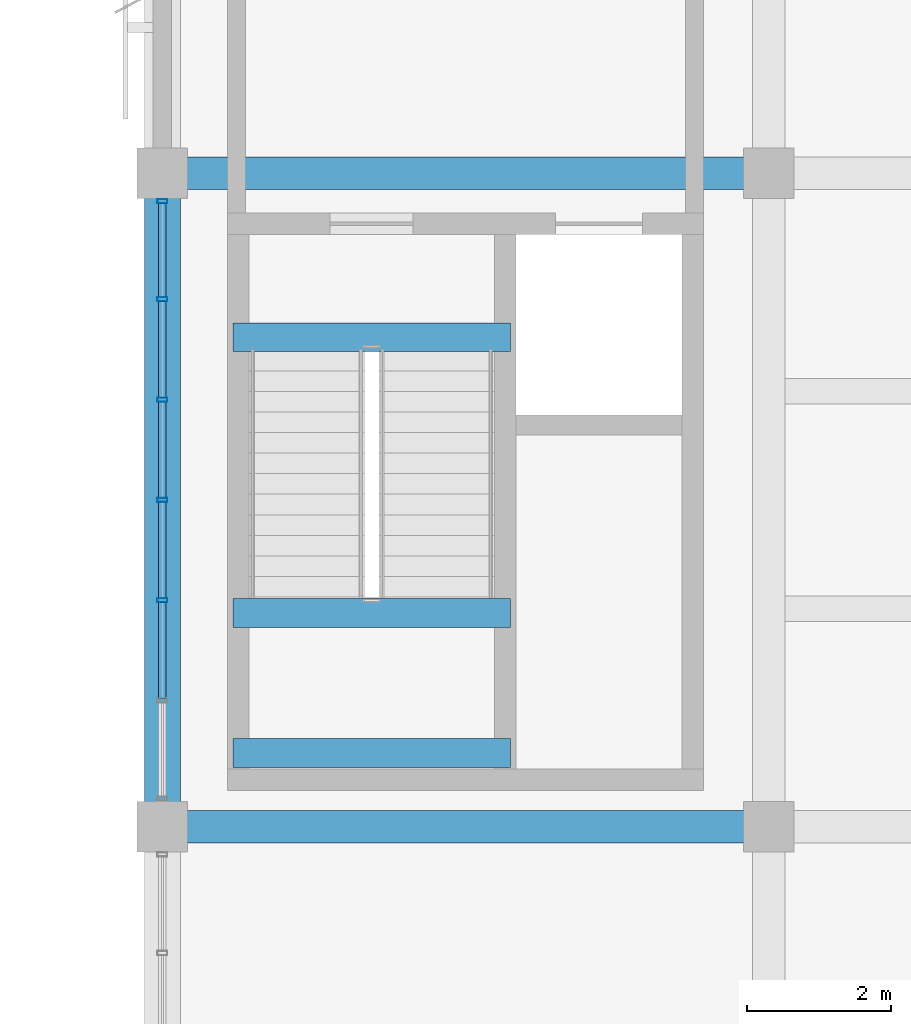
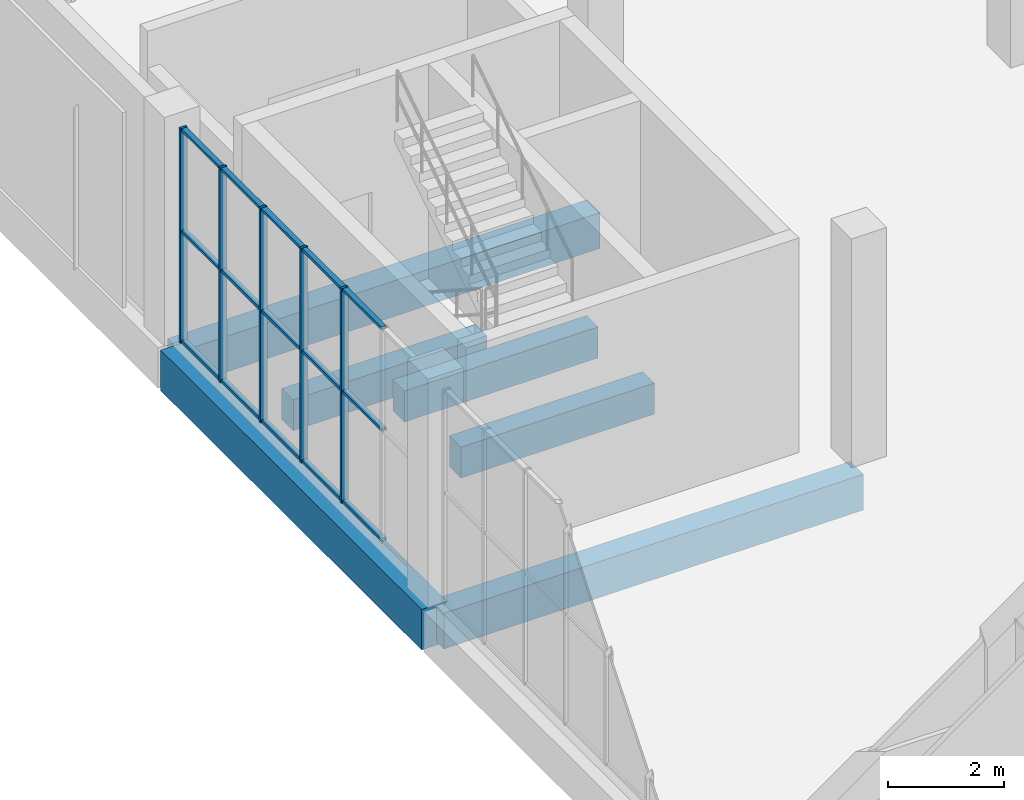
# One storey, part 3 of 80: 20 members, 6 beams, 1 element without a shape of its own.
"""IFC4 building model written with IfcOpenShell, lengths in metres."""

from ifc_helpers import new_model, si_unit, direction, frame, origin, origin_2d, place, context, subcontext, project, spatial, rectangle, hollow_rectangle, extrude, material, material_profile, profile_set, type_object, element, aggregate, save


model = new_model("IFC4")

# Units and contexts
model_context = context("Model", 3, precision=1e-05, world=origin(), true_north=direction((0.0, 1.0)))
body_context = subcontext(model_context, "Body", "Model", "MODEL_VIEW")
ifc_project = project(units=[si_unit("LENGTHUNIT", "METRE"), si_unit("AREAUNIT", "SQUARE_METRE"), si_unit("VOLUMEUNIT", "CUBIC_METRE"), si_unit("PLANEANGLEUNIT", "RADIAN"), si_unit("MASSUNIT", "GRAM", prefix="KILO")], contexts=[model_context])

# Site, building, storey
site_placement = place(None, origin())
site = spatial("IfcSite", under=ifc_project, at=site_placement, CompositionType="ELEMENT")
building_placement = place(site_placement, origin())
building = spatial("IfcBuilding", under=site, at=building_placement, Name="Khurvash Pelagic Aquarium", CompositionType="ELEMENT")
storey_placement = place(building_placement, frame((0.0, 0.0, 10.800048828125)))
storey = spatial("IfcBuildingStorey", under=building, at=storey_placement, Name="L02", CompositionType="ELEMENT", Elevation=10.800048828125)

# Beams
ifc_material_1 = material(Name="Concrete C35/45", Category="concrete")
ifc_material_profile_1 = material_profile(ifc_material_1, rectangle(XDim=0.449951171875, YDim=0.75, at=origin_2d()), Name="RC450X750")
ifc_profile_set_1 = profile_set([ifc_material_profile_1], Name="Concrete C35/45")
beam_type_1 = type_object("IfcBeamType", Name="BM-04", PredefinedType="BEAM", material=ifc_profile_set_1)
for number, where, z_axis, x_axis, name in (
    (1, (25.239990234375, 11.64990234375, -0.695068359375), (1.0, 0.0, 0.0), (0.0, 1.0, 0.0), "L02 Primary Girder BM-04 00572"),
    (2, (25.239990234375, 20.699951171875, -0.695068359375), (1.0, 0.0, 0.0), (0.0, 1.0, 0.0), "L02 Primary Girder BM-04 00582"),
):
    element("IfcBeam", number, at=place(storey_placement, frame(where, z_axis=z_axis, x_axis=x_axis)), inside=storey, type_object=beam_type_1, Name=name, PredefinedType="BEAM", context=body_context, shape_type="SweptSolid", body=[
        extrude(rectangle(XDim=0.449951171875, YDim=0.75, at=origin_2d()), origin(), (0.0, 0.0, 1.0), 8.320068359375),
    ])
ifc_material_profile_2 = material_profile(ifc_material_1, rectangle(XDim=0.39990234375, YDim=0.64990234375, at=origin_2d()), Name="RC400X650")
ifc_profile_set_2 = profile_set([ifc_material_profile_2], Name="Concrete C35/45")
beam_type_2 = type_object("IfcBeamType", Name="BM-05", PredefinedType="BEAM", material=ifc_profile_set_2)
for number, where, z_axis, x_axis, name in (
    (3, (26.179931640625, 18.429931640625, -0.625), (1.0, 0.0, 0.0), (0.0, 1.0, 0.0), "L02 Stair ST-01 Header Trimmer Beam BM-05"),
    (4, (26.179931640625, 12.669921875, 1.875), (1.0, 0.0, 0.0), (0.0, 1.0, 0.0), "L02 Stair ST-01 Mid-Landing Trimmer Beam BM-05"),
    (5, (26.179931640625, 14.610107421875, 1.875), (1.0, 0.0, 0.0), (0.0, 1.0, 0.0), "L02 Stair ST-01 Mid-Landing Trimmer Beam BM-05"),
):
    element("IfcBeam", number, at=place(storey_placement, frame(where, z_axis=z_axis, x_axis=x_axis)), inside=storey, type_object=beam_type_2, Name=name, PredefinedType="BEAM", context=body_context, shape_type="SweptSolid", body=[
        extrude(rectangle(XDim=0.39990234375, YDim=0.64990234375, at=origin_2d()), origin(), (0.0, 0.0, 1.0), 3.840087890625),
    ])

# Curtain wall, members
ifc_material_2 = material(Name="Anodised aluminium and low-E laminated glass", Category="aluminium")
curtain_wall_type = type_object("IfcCurtainWallType", Name="CW-03", PredefinedType="USERDEFINED", material=ifc_material_2)
curtain_wall_placement = place(storey_placement, origin())
curtain_wall = element("IfcCurtainWall", 6, at=curtain_wall_placement, inside=storey, type_object=curtain_wall_type, Name="L02 Facade Unitised Curtain Wall CW-03 0149", ObjectType="UNITISED CURTAIN WALL", PredefinedType="USERDEFINED")
ifc_material_3 = material(Name="Extruded aluminium AW-6063-T6", Category="aluminium")
ifc_material_profile_3 = material_profile(ifc_material_3, hollow_rectangle(XDim=0.06005859375, YDim=0.139892578125, WallThickness=0.00390625, at=origin_2d()), Name="CWM60X140X4")
ifc_profile_set_3 = profile_set([ifc_material_profile_3], Name="Extruded aluminium AW-6063-T6")
member_type_1 = type_object("IfcMemberType", Name="CM-03", PredefinedType="MULLION", material=ifc_profile_set_3)
member_1_placement = place(storey_placement, frame((25.199951171875, 20.31494140625, 0.0), z_axis=(0.0, 0.0, 1.0), x_axis=(0.0, -1.0, 0.0)))
member_1 = element("IfcMember", 7, at=member_1_placement, type_object=member_type_1, Name="CW-03 mullion 1", PredefinedType="MULLION", context=body_context, shape_type="SweptSolid", body=[
    extrude(hollow_rectangle(XDim=0.06005859375, YDim=0.139892578125, WallThickness=0.00390625, at=origin_2d()), origin(), (0.0, 0.0, 1.0), 4.5),
])
member_2_placement = place(storey_placement, frame((25.199951171875, 18.955078125, 0.0), z_axis=(0.0, 0.0, 1.0), x_axis=(0.0, -1.0, 0.0)))
member_2 = element("IfcMember", 8, at=member_2_placement, type_object=member_type_1, Name="CW-03 mullion 2", PredefinedType="MULLION", context=body_context, shape_type="SweptSolid", body=[
    extrude(hollow_rectangle(XDim=0.06005859375, YDim=0.139892578125, WallThickness=0.00390625, at=origin_2d()), origin(), (0.0, 0.0, 1.0), 4.5),
])
member_3_placement = place(storey_placement, frame((25.199951171875, 17.56494140625, 0.0), z_axis=(0.0, 0.0, 1.0), x_axis=(0.0, -1.0, 0.0)))
member_3 = element("IfcMember", 9, at=member_3_placement, type_object=member_type_1, Name="CW-03 mullion 3", PredefinedType="MULLION", context=body_context, shape_type="SweptSolid", body=[
    extrude(hollow_rectangle(XDim=0.06005859375, YDim=0.139892578125, WallThickness=0.00390625, at=origin_2d()), origin(), (0.0, 0.0, 1.0), 4.5),
])
member_4_placement = place(storey_placement, frame((25.199951171875, 16.175048828125, 0.0), z_axis=(0.0, 0.0, 1.0), x_axis=(0.0, -1.0, 0.0)))
member_4 = element("IfcMember", 10, at=member_4_placement, type_object=member_type_1, Name="CW-03 mullion 4", PredefinedType="MULLION", context=body_context, shape_type="SweptSolid", body=[
    extrude(hollow_rectangle(XDim=0.06005859375, YDim=0.139892578125, WallThickness=0.00390625, at=origin_2d()), origin(), (0.0, 0.0, 1.0), 4.5),
])
member_5_placement = place(storey_placement, frame((25.199951171875, 14.784912109375, 0.0), z_axis=(0.0, 0.0, 1.0), x_axis=(0.0, -1.0, 0.0)))
member_5 = element("IfcMember", 11, at=member_5_placement, type_object=member_type_1, Name="CW-03 mullion 5", PredefinedType="MULLION", context=body_context, shape_type="SweptSolid", body=[
    extrude(hollow_rectangle(XDim=0.06005859375, YDim=0.139892578125, WallThickness=0.00390625, at=origin_2d()), origin(), (0.0, 0.0, 1.0), 4.5),
])
ifc_material_profile_4 = material_profile(ifc_material_3, hollow_rectangle(XDim=0.10009765625, YDim=0.06005859375, WallThickness=0.00390625, at=origin_2d()), Name="CWT100X60X4")
ifc_profile_set_4 = profile_set([ifc_material_profile_4], Name="Extruded aluminium AW-6063-T6")
member_type_2 = type_object("IfcMemberType", Name="CT-03", PredefinedType="USERDEFINED", material=ifc_profile_set_4)
member_6_placement = place(storey_placement, frame((25.199951171875, 20.284912109375, 0.030029296875), z_axis=(0.0, -1.0, 0.0), x_axis=(1.0, 0.0, 0.0)))
member_6 = element("IfcMember", 12, at=member_6_placement, type_object=member_type_2, Name="CW-03 transom 1.1", ObjectType="TRANSOM", PredefinedType="USERDEFINED", context=body_context, shape_type="SweptSolid", body=[
    extrude(hollow_rectangle(XDim=0.10009765625, YDim=0.06005859375, WallThickness=0.00390625, at=origin_2d()), origin(), (0.0, 0.0, 1.0), 1.2998046875),
])
member_7_placement = place(storey_placement, frame((25.199951171875, 20.284912109375, 2.33984375), z_axis=(0.0, -1.0, 0.0), x_axis=(1.0, 0.0, 0.0)))
member_7 = element("IfcMember", 13, at=member_7_placement, type_object=member_type_2, Name="CW-03 transom 1.2", ObjectType="TRANSOM", PredefinedType="USERDEFINED", context=body_context, shape_type="SweptSolid", body=[
    extrude(hollow_rectangle(XDim=0.10009765625, YDim=0.06005859375, WallThickness=0.00390625, at=origin_2d()), origin(), (0.0, 0.0, 1.0), 1.2998046875),
])
member_8_placement = place(storey_placement, frame((25.199951171875, 20.284912109375, 4.469970703125), z_axis=(0.0, -1.0, 0.0), x_axis=(1.0, 0.0, 0.0)))
member_8 = element("IfcMember", 14, at=member_8_placement, type_object=member_type_2, Name="CW-03 transom 1.3", ObjectType="TRANSOM", PredefinedType="USERDEFINED", context=body_context, shape_type="SweptSolid", body=[
    extrude(hollow_rectangle(XDim=0.10009765625, YDim=0.06005859375, WallThickness=0.00390625, at=origin_2d()), origin(), (0.0, 0.0, 1.0), 1.2998046875),
])
member_9_placement = place(storey_placement, frame((25.199951171875, 18.925048828125, 0.030029296875), z_axis=(0.0, -1.0, 0.0), x_axis=(1.0, 0.0, 0.0)))
member_9 = element("IfcMember", 15, at=member_9_placement, type_object=member_type_2, Name="CW-03 transom 2.1", ObjectType="TRANSOM", PredefinedType="USERDEFINED", context=body_context, shape_type="SweptSolid", body=[
    extrude(hollow_rectangle(XDim=0.10009765625, YDim=0.06005859375, WallThickness=0.00390625, at=origin_2d()), origin(), (0.0, 0.0, 1.0), 1.330078125),
])
member_10_placement = place(storey_placement, frame((25.199951171875, 18.925048828125, 2.33984375), z_axis=(0.0, -1.0, 0.0), x_axis=(1.0, 0.0, 0.0)))
member_10 = element("IfcMember", 16, at=member_10_placement, type_object=member_type_2, Name="CW-03 transom 2.2", ObjectType="TRANSOM", PredefinedType="USERDEFINED", context=body_context, shape_type="SweptSolid", body=[
    extrude(hollow_rectangle(XDim=0.10009765625, YDim=0.06005859375, WallThickness=0.00390625, at=origin_2d()), origin(), (0.0, 0.0, 1.0), 1.330078125),
])
member_11_placement = place(storey_placement, frame((25.199951171875, 18.925048828125, 4.469970703125), z_axis=(0.0, -1.0, 0.0), x_axis=(1.0, 0.0, 0.0)))
member_11 = element("IfcMember", 17, at=member_11_placement, type_object=member_type_2, Name="CW-03 transom 2.3", ObjectType="TRANSOM", PredefinedType="USERDEFINED", context=body_context, shape_type="SweptSolid", body=[
    extrude(hollow_rectangle(XDim=0.10009765625, YDim=0.06005859375, WallThickness=0.00390625, at=origin_2d()), origin(), (0.0, 0.0, 1.0), 1.330078125),
])
member_12_placement = place(storey_placement, frame((25.199951171875, 17.534912109375, 0.030029296875), z_axis=(0.0, -1.0, 0.0), x_axis=(1.0, 0.0, 0.0)))
member_12 = element("IfcMember", 18, at=member_12_placement, type_object=member_type_2, Name="CW-03 transom 3.1", ObjectType="TRANSOM", PredefinedType="USERDEFINED", context=body_context, shape_type="SweptSolid", body=[
    extrude(hollow_rectangle(XDim=0.10009765625, YDim=0.06005859375, WallThickness=0.00390625, at=origin_2d()), origin(), (0.0, 0.0, 1.0), 1.329833984375),
])
member_13_placement = place(storey_placement, frame((25.199951171875, 17.534912109375, 2.33984375), z_axis=(0.0, -1.0, 0.0), x_axis=(1.0, 0.0, 0.0)))
member_13 = element("IfcMember", 19, at=member_13_placement, type_object=member_type_2, Name="CW-03 transom 3.2", ObjectType="TRANSOM", PredefinedType="USERDEFINED", context=body_context, shape_type="SweptSolid", body=[
    extrude(hollow_rectangle(XDim=0.10009765625, YDim=0.06005859375, WallThickness=0.00390625, at=origin_2d()), origin(), (0.0, 0.0, 1.0), 1.329833984375),
])
member_14_placement = place(storey_placement, frame((25.199951171875, 17.534912109375, 4.469970703125), z_axis=(0.0, -1.0, 0.0), x_axis=(1.0, 0.0, 0.0)))
member_14 = element("IfcMember", 20, at=member_14_placement, type_object=member_type_2, Name="CW-03 transom 3.3", ObjectType="TRANSOM", PredefinedType="USERDEFINED", context=body_context, shape_type="SweptSolid", body=[
    extrude(hollow_rectangle(XDim=0.10009765625, YDim=0.06005859375, WallThickness=0.00390625, at=origin_2d()), origin(), (0.0, 0.0, 1.0), 1.329833984375),
])
member_15_placement = place(storey_placement, frame((25.199951171875, 16.14501953125, 0.030029296875), z_axis=(0.0, -1.0, 0.0), x_axis=(1.0, 0.0, 0.0)))
member_15 = element("IfcMember", 21, at=member_15_placement, type_object=member_type_2, Name="CW-03 transom 4.1", ObjectType="TRANSOM", PredefinedType="USERDEFINED", context=body_context, shape_type="SweptSolid", body=[
    extrude(hollow_rectangle(XDim=0.10009765625, YDim=0.06005859375, WallThickness=0.00390625, at=origin_2d()), origin(), (0.0, 0.0, 1.0), 1.330078125),
])
member_16_placement = place(storey_placement, frame((25.199951171875, 16.14501953125, 2.33984375), z_axis=(0.0, -1.0, 0.0), x_axis=(1.0, 0.0, 0.0)))
member_16 = element("IfcMember", 22, at=member_16_placement, type_object=member_type_2, Name="CW-03 transom 4.2", ObjectType="TRANSOM", PredefinedType="USERDEFINED", context=body_context, shape_type="SweptSolid", body=[
    extrude(hollow_rectangle(XDim=0.10009765625, YDim=0.06005859375, WallThickness=0.00390625, at=origin_2d()), origin(), (0.0, 0.0, 1.0), 1.330078125),
])
member_17_placement = place(storey_placement, frame((25.199951171875, 16.14501953125, 4.469970703125), z_axis=(0.0, -1.0, 0.0), x_axis=(1.0, 0.0, 0.0)))
member_17 = element("IfcMember", 23, at=member_17_placement, type_object=member_type_2, Name="CW-03 transom 4.3", ObjectType="TRANSOM", PredefinedType="USERDEFINED", context=body_context, shape_type="SweptSolid", body=[
    extrude(hollow_rectangle(XDim=0.10009765625, YDim=0.06005859375, WallThickness=0.00390625, at=origin_2d()), origin(), (0.0, 0.0, 1.0), 1.330078125),
])
member_18_placement = place(storey_placement, frame((25.199951171875, 14.7548828125, 0.030029296875), z_axis=(0.0, -1.0, 0.0), x_axis=(1.0, 0.0, 0.0)))
member_18 = element("IfcMember", 24, at=member_18_placement, type_object=member_type_2, Name="CW-03 transom 5.1", ObjectType="TRANSOM", PredefinedType="USERDEFINED", context=body_context, shape_type="SweptSolid", body=[
    extrude(hollow_rectangle(XDim=0.10009765625, YDim=0.06005859375, WallThickness=0.00390625, at=origin_2d()), origin(), (0.0, 0.0, 1.0), 1.329833984375),
])
member_19_placement = place(storey_placement, frame((25.199951171875, 14.7548828125, 2.33984375), z_axis=(0.0, -1.0, 0.0), x_axis=(1.0, 0.0, 0.0)))
member_19 = element("IfcMember", 25, at=member_19_placement, type_object=member_type_2, Name="CW-03 transom 5.2", ObjectType="TRANSOM", PredefinedType="USERDEFINED", context=body_context, shape_type="SweptSolid", body=[
    extrude(hollow_rectangle(XDim=0.10009765625, YDim=0.06005859375, WallThickness=0.00390625, at=origin_2d()), origin(), (0.0, 0.0, 1.0), 1.329833984375),
])
member_20_placement = place(storey_placement, frame((25.199951171875, 14.7548828125, 4.469970703125), z_axis=(0.0, -1.0, 0.0), x_axis=(1.0, 0.0, 0.0)))
member_20 = element("IfcMember", 26, at=member_20_placement, type_object=member_type_2, Name="CW-03 transom 5.3", ObjectType="TRANSOM", PredefinedType="USERDEFINED", context=body_context, shape_type="SweptSolid", body=[
    extrude(hollow_rectangle(XDim=0.10009765625, YDim=0.06005859375, WallThickness=0.00390625, at=origin_2d()), origin(), (0.0, 0.0, 1.0), 1.329833984375),
])
aggregate(curtain_wall, [member_1, member_2, member_3, member_4, member_5, member_6, member_7, member_8, member_9, member_10, member_11, member_12, member_13, member_14, member_15, member_16, member_17, member_18, member_19, member_20])

# Beam
ifc_material_4 = material(Name="Concrete C40/50", Category="concrete")
ifc_material_profile_5 = material_profile(ifc_material_4, rectangle(XDim=0.5, YDim=0.85009765625, at=origin_2d()), Name="RC500X850")
ifc_profile_set_5 = profile_set([ifc_material_profile_5], Name="Concrete C40/50")
beam_type_3 = type_object("IfcBeamType", Name="SEB-03", PredefinedType="SPANDREL", material=ifc_profile_set_5)
beam_placement = place(storey_placement, frame((25.199951171875, 11.68994140625, -0.72509765625), z_axis=(0.0, 1.0, 0.0), x_axis=(-1.0, 0.0, 0.0)))
element("IfcBeam", 27, at=beam_placement, inside=storey, type_object=beam_type_3, Name="L02 Primary Girder SEB-03 00659", PredefinedType="SPANDREL", context=body_context, shape_type="SweptSolid", body=[
    extrude(rectangle(XDim=0.5, YDim=0.85009765625, at=origin_2d()), origin(), (0.0, 0.0, 1.0), 8.969970703125),
])

save(model, "model.ifc")
